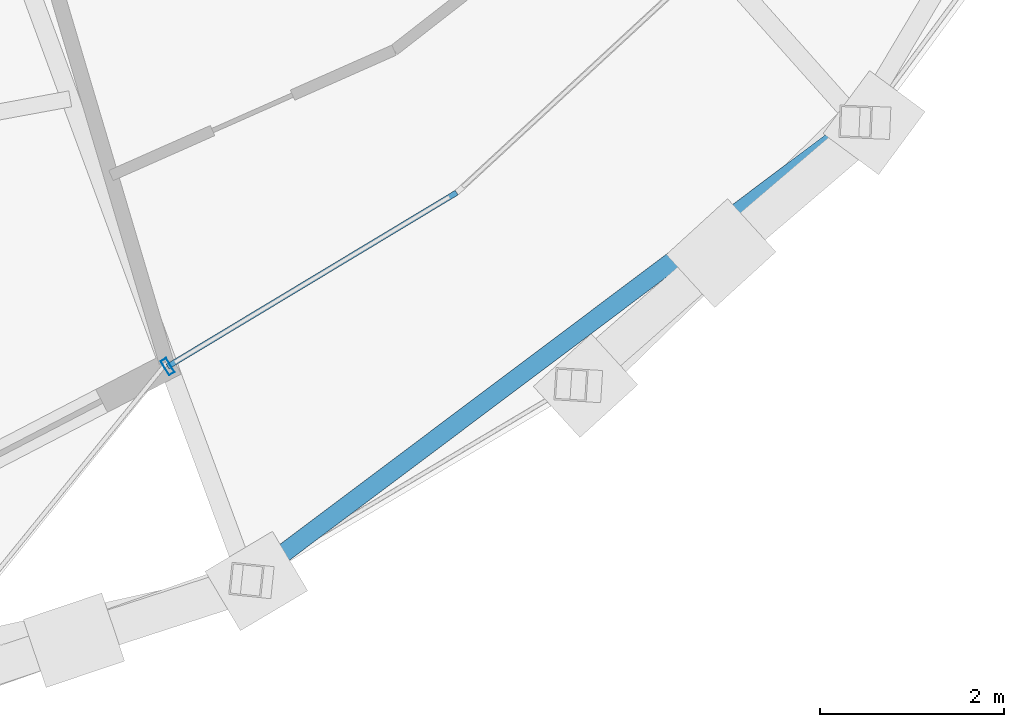
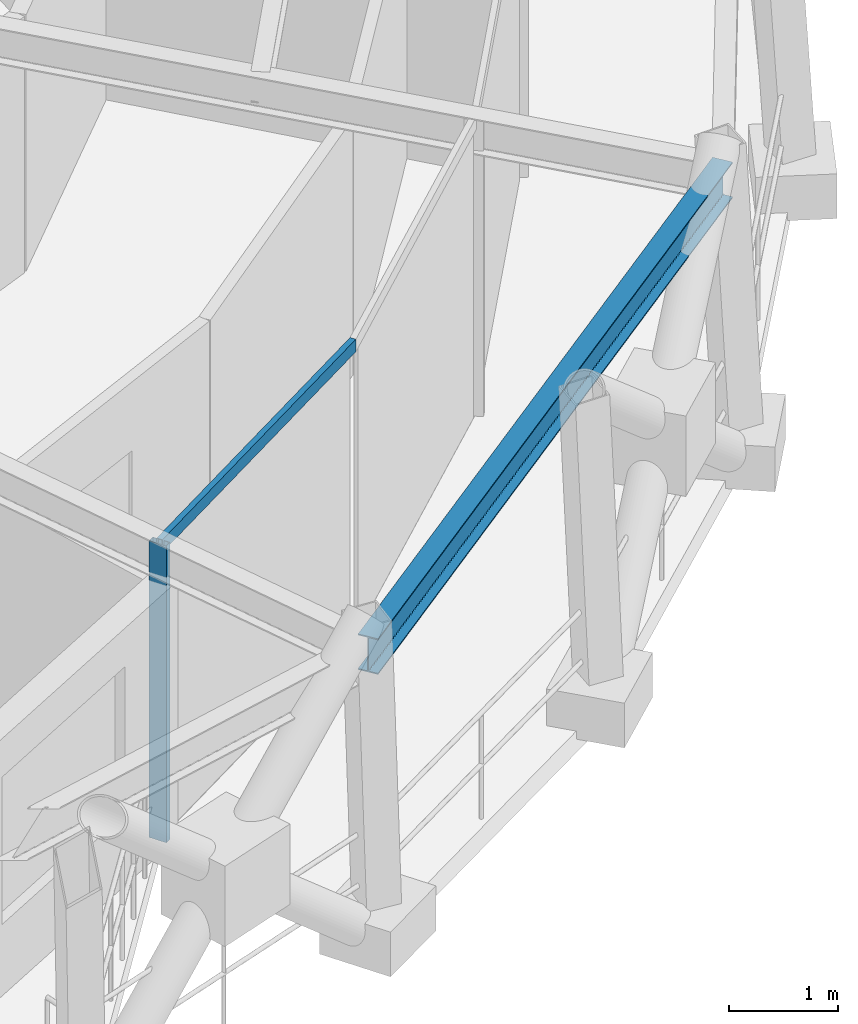
# One storey, part 2 of 16: 2 members, 1 beam, 1 element without a shape of its own.
"""IFC4 building model written with IfcOpenShell, lengths in metres."""

from ifc_helpers import new_model, si_unit, direction, frame, origin, origin_2d, place, context, subcontext, project, spatial, hollow_rectangle, i_section, extrude, material, layer, layer_set, material_profile, profile_set, type_object, element, aggregate, save


model = new_model("IFC4")

# Units and contexts
model_context = context("Model", 3, precision=1e-05, world=origin(), true_north=direction((0.0, 1.0)))
body_context = subcontext(model_context, "Body", "Model", "MODEL_VIEW")
ifc_project = project(units=[si_unit("LENGTHUNIT", "METRE"), si_unit("AREAUNIT", "SQUARE_METRE"), si_unit("VOLUMEUNIT", "CUBIC_METRE"), si_unit("PLANEANGLEUNIT", "RADIAN"), si_unit("MASSUNIT", "GRAM", prefix="KILO")], contexts=[model_context])

# Site, building, storey
site_placement = place(None, origin())
site = spatial("IfcSite", under=ifc_project, at=site_placement, CompositionType="ELEMENT")
building_placement = place(site_placement, origin())
building = spatial("IfcBuilding", under=site, at=building_placement, Name="Veldorina Hangang Commons", CompositionType="ELEMENT")
storey_placement = place(building_placement, frame((0.0, 0.0, 279.60009765625)))
storey = spatial("IfcBuildingStorey", under=building, at=storey_placement, Name="L73", CompositionType="ELEMENT", Elevation=279.60009765625)

# Beam
ifc_material_1 = material(Name="Steel SM355-TMC", Category="steel")
ifc_material_profile_1 = material_profile(ifc_material_1, i_section(OverallWidth=0.199951171875, OverallDepth=0.39990234375, WebThickness=0.008056640625, FlangeThickness=0.012939453125, FilletRadius=0.012939453125, at=origin_2d()), Name="H-400x200x8x13")
ifc_profile_set_1 = profile_set([ifc_material_profile_1], Name="Steel SM355-TMC")
beam_type = type_object("IfcBeamType", Name="BM-RB400", PredefinedType="BEAM", material=ifc_profile_set_1)
beam_placement = place(storey_placement, frame((39.81591796875, 2.797119140625, 3.159912109375), z_axis=(0.799699360475, 0.600400643617, 0.0), x_axis=(-0.600400643617, 0.799699360475, 0.0)))
element("IfcBeam", 1, at=beam_placement, inside=storey, type_object=beam_type, Name="L73 perimeter hoop ring beam 26", PredefinedType="BEAM", context=body_context, shape_type="SweptSolid", body=[
    extrude(i_section(OverallWidth=0.199951171875, OverallDepth=0.39990234375, WebThickness=0.008056640625, FlangeThickness=0.012939453125, FilletRadius=0.012939453125, at=origin_2d()), origin(), (0.0, 0.0, 1.0), 8.285888671875),
])

# Curtain wall, members
ifc_material_2 = material(Name="Glass Low-E Selective", Category="glass")
ifc_layer = layer(ifc_material_2, 0.179931640625)
ifc_layer_set = layer_set([ifc_layer], Name="Glass Low-E Selective")
curtain_wall_type = type_object("IfcCurtainWallType", Name="CW-SYS-Z3", PredefinedType="NOTDEFINED", material=ifc_layer_set)
curtain_wall_placement = place(storey_placement, origin())
curtain_wall = element("IfcCurtainWall", 2, at=curtain_wall_placement, inside=storey, type_object=curtain_wall_type, Name="L73 unitised curtain wall CW-L73-R1", PredefinedType="NOTDEFINED")
ifc_material_3 = material(Name="Aluminium Anodized AA6063-T6", Category="aluminium")
ifc_material_profile_2 = material_profile(ifc_material_3, hollow_rectangle(XDim=0.070068359375, YDim=0.179931640625, WallThickness=0.00390625, at=origin_2d()), Name="ALU-RHS-180x70x4")
ifc_profile_set_2 = profile_set([ifc_material_profile_2], Name="Aluminium Anodized AA6063-T6")
member_type_1 = type_object("IfcMemberType", Name="CW-MUL-180", PredefinedType="MULLION", material=ifc_profile_set_2)
member_1_placement = place(storey_placement, frame((38.94677734375, 5.115234375, 0.0), z_axis=(0.0, 0.0, 1.0), x_axis=(0.85677152714, 0.515696180208, 0.0)))
member_1 = element("IfcMember", 3, at=member_1_placement, type_object=member_type_1, Name="CW-L73-R1 vertical mullion 1", PredefinedType="MULLION", context=body_context, shape_type="SweptSolid", body=[
    extrude(hollow_rectangle(XDim=0.070068359375, YDim=0.179931640625, WallThickness=0.00390625, at=origin_2d()), origin(), (0.0, 0.0, 1.0), 3.31982421875),
])
ifc_material_profile_3 = material_profile(ifc_material_3, hollow_rectangle(XDim=0.06005859375, YDim=0.139892578125, WallThickness=0.00341796875, at=origin_2d()), Name="ALU-RHS-140x60x3.5")
ifc_profile_set_3 = profile_set([ifc_material_profile_3], Name="Aluminium Anodized AA6063-T6")
member_type_2 = type_object("IfcMemberType", Name="CW-TRN-140", PredefinedType="USERDEFINED", material=ifc_profile_set_3)
member_2_placement = place(storey_placement, frame((38.94677734375, 5.115234375, 3.27978515625), z_axis=(0.856756964904, 0.515720372962, 0.0), x_axis=(-0.515720372962, 0.856756964904, 0.0)))
member_2 = element("IfcMember", 4, at=member_2_placement, type_object=member_type_2, Name="CW-L73-R1 facet 1 transom 1", ObjectType="TRANSOM", PredefinedType="USERDEFINED", context=body_context, shape_type="SweptSolid", body=[
    extrude(hollow_rectangle(XDim=0.06005859375, YDim=0.139892578125, WallThickness=0.00341796875, at=origin_2d()), origin(), (0.0, 0.0, 1.0), 3.6630859375),
])
aggregate(curtain_wall, [member_1, member_2])

save(model, "model.ifc")
